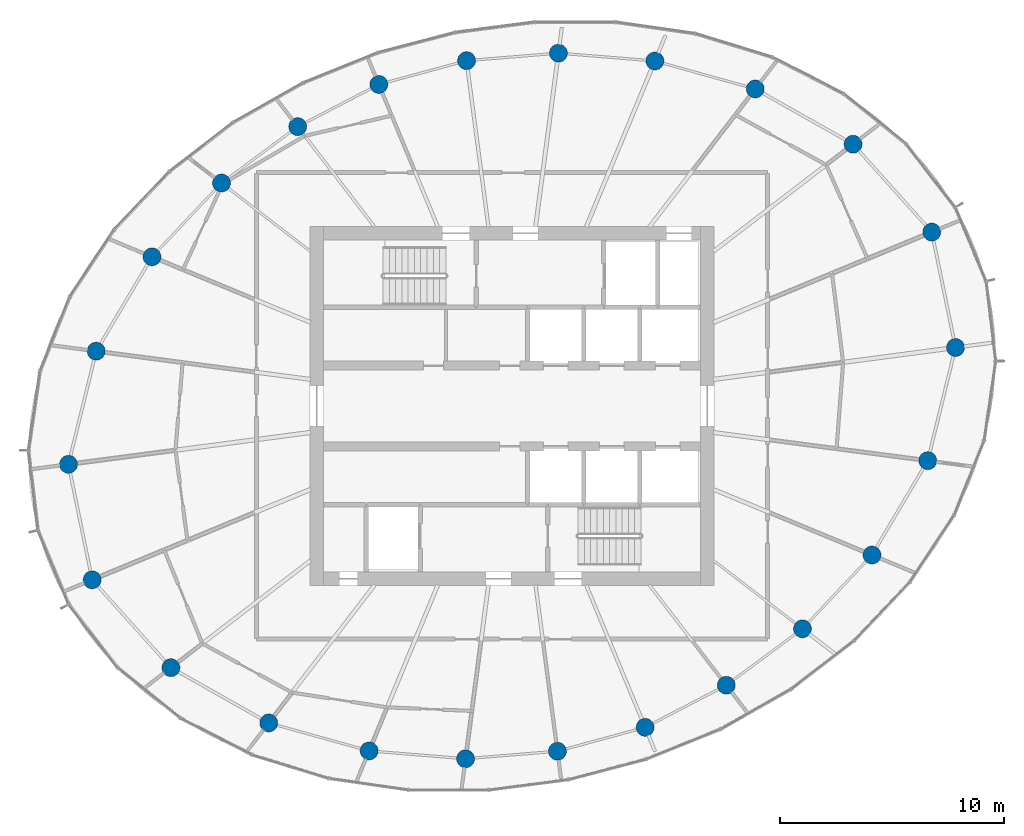
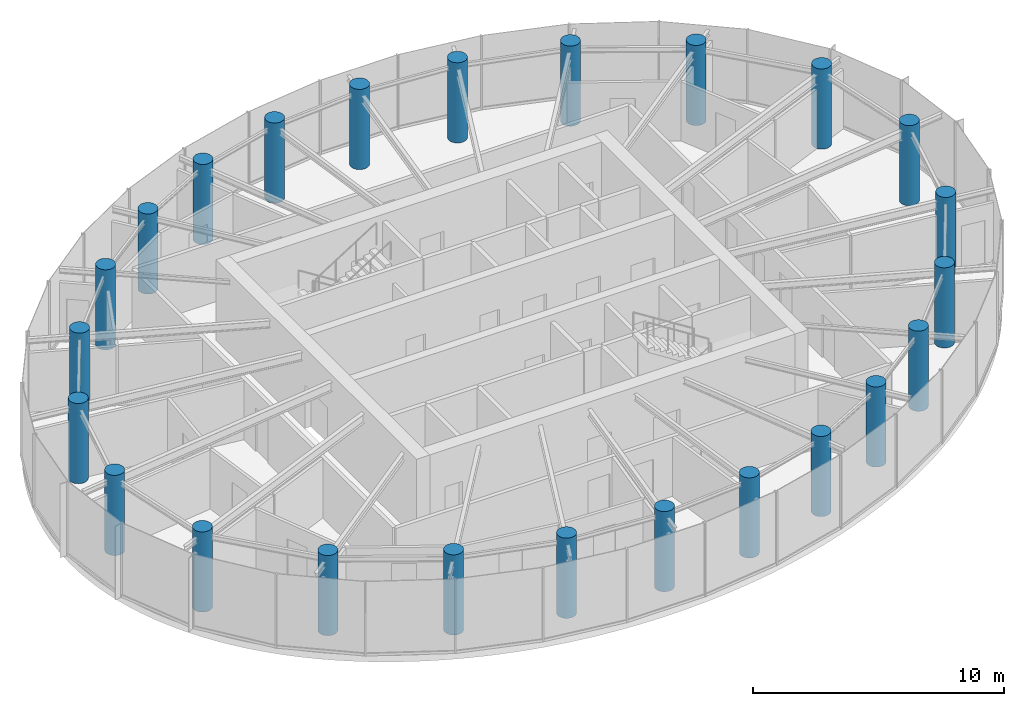
# One storey, part 1 of 13: 24 columns.
"""IFC4 building model written with IfcOpenShell, lengths in metres."""

from ifc_helpers import new_model, si_unit, direction, frame, origin, origin_2d, place, context, subcontext, project, spatial, circle, extrude, source, transform, mapped, material, material_profile, profile_set, type_object, element, save


model = new_model("IFC4")

# Units and contexts
model_context = context("Model", 3, precision=1e-05, world=origin(), true_north=direction((0.0, 1.0)))
body_context = subcontext(model_context, "Body", "Model", "MODEL_VIEW")
ifc_project = project(units=[si_unit("LENGTHUNIT", "METRE"), si_unit("AREAUNIT", "SQUARE_METRE"), si_unit("VOLUMEUNIT", "CUBIC_METRE"), si_unit("PLANEANGLEUNIT", "RADIAN"), si_unit("MASSUNIT", "GRAM", prefix="KILO")], contexts=[model_context])

# Site, building, storey
site_placement = place(None, origin())
site = spatial("IfcSite", under=ifc_project, at=site_placement, CompositionType="ELEMENT")
building_placement = place(site_placement, origin())
building = spatial("IfcBuilding", under=site, at=building_placement, Name="Spindrift Exchange Tower", CompositionType="ELEMENT")
storey_placement = place(building_placement, frame((0.0, 0.0, 257.89990234375)))
storey = spatial("IfcBuildingStorey", under=building, at=storey_placement, Name="L63", CompositionType="ELEMENT", Elevation=257.89990234375)

# Columns
ifc_material = material(Name="Concrete 40 MPa", Category="concrete")
ifc_material_profile = material_profile(ifc_material, circle(Radius=0.39990234375, at=origin_2d()), Name="RC D800")
ifc_profile_set = profile_set([ifc_material_profile], Name="Concrete 40 MPa")
column_type = type_object("IfcColumnType", Name="RC Perimeter Column D800 Concrete 40 MPa", PredefinedType="COLUMN", material=ifc_profile_set)
shared_shape = source(origin(), body_context, "Body", "SweptSolid", [
    extrude(circle(Radius=0.39990234375, at=origin_2d()), origin(), (0.0, 0.0, 1.0), 3.900146484375),
])
for number, where, z_axis, x_axis, name in (
    (1, (71.77734375, 50.603759765625, 0.0), (0.0, 0.0, 1.0), (1.0, 0.0, 0.0), "Perimeter column P5-01 L63"),
    (2, (70.719482421875, 55.75390625, 0.0), (0.0, 0.0, 1.0), (1.0, 0.0, 0.0), "Perimeter column P5-02 L63"),
    (3, (67.20947265625, 59.670654296875, 0.0), (0.0, 0.0, 1.0), (1.0, 0.0, 0.0), "Perimeter column P5-03 L63"),
    (4, (62.846923828125, 62.135986328125, 0.0), (0.0, 0.0, 1.0), (1.0, 0.0, 0.0), "Perimeter column P5-04 L63"),
    (5, (58.37158203125, 63.382568359375, 0.0), (0.0, 0.0, 1.0), (1.0, 0.0, 0.0), "Perimeter column P5-05 L63"),
    (6, (54.071044921875, 63.731201171875, 0.0), (0.0, 0.0, 1.0), (1.0, 0.0, 0.0), "Perimeter column P5-06 L63"),
    (7, (49.97314453125, 63.39599609375, 0.0), (0.0, 0.0, 1.0), (1.0, 0.0, 0.0), "Perimeter column P5-07 L63"),
    (8, (46.062744140625, 62.333984375, 0.0), (0.0, 0.0, 1.0), (1.0, 0.0, 0.0), "Perimeter column P5-08 L63"),
    (9, (42.4443359375, 60.453369140625, 0.0), (0.0, 0.0, 1.0), (1.0, 0.0, 0.0), "Perimeter column P5-09 L63"),
    (10, (39.046875, 57.939208984375, 0.0), (0.0, 0.0, 1.0), (1.0, 0.0, 0.0), "Perimeter column P5-10 L63"),
    (11, (35.948486328125, 54.648681640625, 0.0), (0.0, 0.0, 1.0), (1.0, 0.0, 0.0), "Perimeter column P5-11 L63"),
    (12, (33.4599609375, 50.44091796875, 0.0), (0.0, 0.0, 1.0), (1.0, 0.0, 0.0), "Perimeter column P5-12 L63"),
    (13, (32.22265625, 45.396240234375, 0.0), (0.0, 0.0, 1.0), (1.0, 0.0, 0.0), "Perimeter column P5-13 L63"),
    (14, (33.280517578125, 40.24609375, 0.0), (0.0, 0.0, 1.0), (1.0, 0.0, 0.0), "Perimeter column P5-14 L63"),
    (15, (36.79052734375, 36.329345703125, 0.0), (0.0, 0.0, 1.0), (1.0, 0.0, 0.0), "Perimeter column P5-15 L63"),
    (16, (41.153076171875, 33.864013671875, 0.0), (0.0, 0.0, 1.0), (1.0, 0.0, 0.0), "Perimeter column P5-16 L63"),
    (17, (45.62841796875, 32.617431640625, 0.0), (0.0, 0.0, 1.0), (1.0, 0.0, 0.0), "Perimeter column P5-17 L63"),
    (18, (49.928955078125, 32.268798828125, 0.0), (0.0, 0.0, 1.0), (1.0, 0.0, 0.0), "Perimeter column P5-18 L63"),
    (19, (54.02685546875, 32.60400390625, 0.0), (0.0, 0.0, 1.0), (1.0, 0.0, 0.0), "Perimeter column P5-19 L63"),
    (20, (57.937255859375, 33.666015625, 0.0), (0.0, 0.0, 1.0), (1.0, 0.0, 0.0), "Perimeter column P5-20 L63"),
    (21, (61.5556640625, 35.546630859375, 0.0), (0.0, 0.0, 1.0), (1.0, 0.0, 0.0), "Perimeter column P5-21 L63"),
    (22, (64.953125, 38.060791015625, 0.0), (0.0, 0.0, 1.0), (1.0, 0.0, 0.0), "Perimeter column P5-22 L63"),
    (23, (68.051513671875, 41.351318359375, 0.0), (0.0, 0.0, 1.0), (1.0, 0.0, 0.0), "Perimeter column P5-23 L63"),
    (24, (70.5400390625, 45.55908203125, 0.0), (0.0, 0.0, 1.0), (1.0, 0.0, 0.0), "Perimeter column P5-24 L63"),
):
    element("IfcColumn", number, at=place(storey_placement, frame(where, z_axis=z_axis, x_axis=x_axis)), inside=storey, type_object=column_type, Name=name, PredefinedType="COLUMN", context=body_context, shape_type="MappedRepresentation", body=[
        mapped(shared_shape, transform((0.0, 0.0, 0.0), scale=1.0)),
    ])

save(model, "model.ifc")
